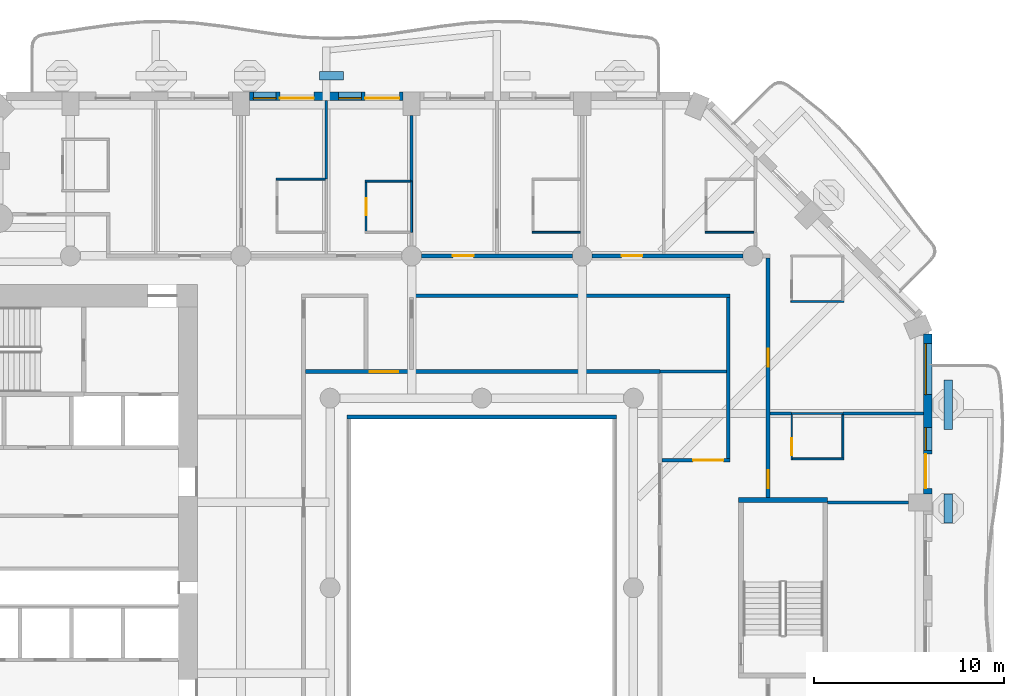
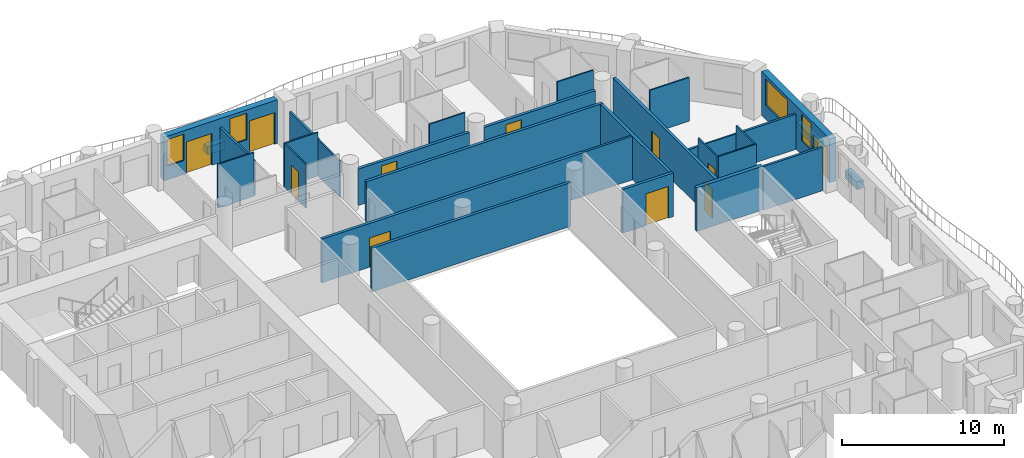
# One storey, part 9 of 20: 31 walls, 11 doors, 4 windows, 15 openings.
"""IFC4 building model written with IfcOpenShell, lengths in metres."""

from ifc_helpers import new_model, si_unit, direction, frame, frame_2d, origin, place, context, subcontext, project, spatial, rectangle, extrude, material, layer, layer_set, type_object, element, fill, save


model = new_model("IFC4")

# Units and contexts
model_context = context("Model", 3, precision=1e-05, world=origin(), true_north=direction((0.0, 1.0)))
body_context = subcontext(model_context, "Body", "Model", "MODEL_VIEW")
ifc_project = project(units=[si_unit("LENGTHUNIT", "METRE"), si_unit("AREAUNIT", "SQUARE_METRE"), si_unit("VOLUMEUNIT", "CUBIC_METRE"), si_unit("PLANEANGLEUNIT", "RADIAN"), si_unit("MASSUNIT", "GRAM", prefix="KILO")], contexts=[model_context])

# Site, building, storey
site_placement = place(None, origin())
site = spatial("IfcSite", under=ifc_project, at=site_placement, CompositionType="ELEMENT")
building_placement = place(site_placement, origin())
building = spatial("IfcBuilding", under=site, at=building_placement, Name="Cypress Arch Tower", CompositionType="ELEMENT")
storey_placement = place(building_placement, frame((0.0, 0.0, 109.5)))
storey = spatial("IfcBuildingStorey", under=building, at=storey_placement, Name="L22", CompositionType="ELEMENT", Elevation=109.5)

# Walls
ifc_material_1 = material(Name="Concrete C40/50, waterproofed", Category="concrete")
ifc_layer_1 = layer(ifc_material_1, 0.449951171875)
ifc_layer_set_1 = layer_set([ifc_layer_1], Name="Balcony planter wall PW450")
wall_type_1 = type_object("IfcWallType", Name="Balcony planter wall PW450", PredefinedType="SOLIDWALL", material=ifc_layer_set_1)
wall_1_placement = place(storey_placement, frame((25.60009765625, 3.42138671875, 0.0), z_axis=(0.0, 0.0, 1.0), x_axis=(0.0, 1.0, 0.0)))
element("IfcWall", 1, at=wall_1_placement, inside=storey, type_object=wall_type_1, Name="Balcony planter wall L22-A06.3", PredefinedType="SOLIDWALL", context=body_context, shape_type="SweptSolid", body=[
    extrude(rectangle(XDim=1.5224609375, YDim=0.449951171875, at=frame_2d((0.76123046875, 0.0))), origin(), (0.0, 0.0, 1.0), 0.60009765625),
])
wall_2_placement = place(storey_placement, frame((25.60009765625, 8.335693359375, 0.0), z_axis=(0.0, 0.0, 1.0), x_axis=(0.0, 1.0, 0.0)))
element("IfcWall", 2, at=wall_2_placement, inside=storey, type_object=wall_type_1, Name="Balcony planter wall L22-A06.4", PredefinedType="SOLIDWALL", context=body_context, shape_type="SweptSolid", body=[
    extrude(rectangle(XDim=2.6142578125, YDim=0.449951171875, at=frame_2d((1.30712890625, 0.0))), origin(), (0.0, 0.0, 1.0), 0.60009765625),
])
wall_3_placement = place(storey_placement, frame((-6.300048828125, 27.0, 0.0), z_axis=(0.0, 0.0, 1.0), x_axis=(-1.0, 0.0, 0.0)))
element("IfcWall", 3, at=wall_3_placement, inside=storey, type_object=wall_type_1, Name="Balcony planter wall L22-A08.3", PredefinedType="SOLIDWALL", context=body_context, shape_type="SweptSolid", body=[
    extrude(rectangle(XDim=1.25, YDim=0.449951171875, at=frame_2d((0.625, 0.0))), origin(), (0.0, 0.0, 1.0), 0.60009765625),
])

# Wall, openings, door, windows
ifc_material_2 = material(Name="Brick (red buff blend)", Category="masonry")
ifc_layer_2 = layer(ifc_material_2, 0.449951171875)
ifc_layer_set_2 = layer_set([ifc_layer_2], Name="Brick pier and spandrel wall BW450")
wall_type_2 = type_object("IfcWallType", Name="Brick pier and spandrel wall BW450", PredefinedType="SOLIDWALL", material=ifc_layer_set_2)
wall_4_placement = place(storey_placement, frame((24.52490234375, 4.949951171875, 0.0), z_axis=(0.0, 0.0, 1.0), x_axis=(0.0, 1.0, 0.0)))
wall_4 = element("IfcWall", 4, at=wall_4_placement, inside=storey, type_object=wall_type_2, Name="Brick wall L22 A06.3", PredefinedType="SOLIDWALL", context=body_context, shape_type="SweptSolid", body=[
    extrude(rectangle(XDim=8.438720703125, YDim=0.449951171875, at=frame_2d((4.21923828125, 0.0))), origin(), (0.0, 0.0, 1.0), 3.300048828125),
])
opening_1_placement = place(wall_4_placement, frame((0.2939453125, 0.0, 0.0)))
opening_1 = element("IfcOpeningElement", 5, at=opening_1_placement, cuts=wall_4, Name="Opening D-L22-A06.3.1", PredefinedType="OPENING", context=body_context, shape_type="SweptSolid", body=[
    extrude(rectangle(XDim=1.800048828125, YDim=2.39990234375, at=frame_2d((0.89990234375, 1.199951171875))), frame((0.0, 0.23486328125, 0.0), z_axis=(0.0, -1.0, 0.0), x_axis=(1.0, 0.0, 0.0)), (0.0, 0.0, 1.0), 0.469970703125),
])
opening_2_placement = place(wall_4_placement, frame((2.2939453125, 0.0, 1.050048828125)))
opening_2 = element("IfcOpeningElement", 6, at=opening_2_placement, cuts=wall_4, Name="Opening W120HD", PredefinedType="OPENING", context=body_context, shape_type="SweptSolid", body=[
    extrude(rectangle(XDim=1.199951171875, YDim=2.0, at=frame_2d((0.60009765625, 1.0))), frame((0.0, 0.23486328125, 0.0), z_axis=(0.0, -1.0, 0.0), x_axis=(1.0, 0.0, 0.0)), (0.0, 0.0, 1.0), 0.469970703125),
])
opening_3_placement = place(wall_4_placement, frame((5.231689453125, 0.0, 1.050048828125)))
opening_3 = element("IfcOpeningElement", 7, at=opening_3_placement, cuts=wall_4, Name="Opening W270HD", PredefinedType="OPENING", context=body_context, shape_type="SweptSolid", body=[
    extrude(rectangle(XDim=2.699951171875, YDim=2.0, at=frame_2d((1.35009765625, 1.0))), frame((0.0, 0.23486328125, 0.0), z_axis=(0.0, -1.0, 0.0), x_axis=(1.0, 0.0, 0.0)), (0.0, 0.0, 1.0), 0.469970703125),
])
ifc_material_3 = material(Name="Anodised aluminium, bronze finish, laminated low-emissivity double glazing, large-missile impact rated", Category="aluminium")
door_type_1 = type_object("IfcDoorType", Name="Balcony sliding door 1800x2400", OperationType="SLIDING_TO_LEFT", PredefinedType="DOOR", material=ifc_material_3)
door_1_placement = place(opening_1_placement, origin())
door_1 = element("IfcDoor", 8, at=door_1_placement, inside=storey, type_object=door_type_1, Name="Balcony door L22 A06.3.1", OperationType="SLIDING_TO_LEFT", OverallHeight=2.39990234375, OverallWidth=1.800048828125, PredefinedType="DOOR", context=body_context, shape_type="SweptSolid", body=[
    extrude(rectangle(XDim=1.800048828125, YDim=2.39990234375, at=frame_2d((0.89990234375, 1.199951171875))), frame((0.0, 0.1298828125, 0.0), z_axis=(0.0, -1.0, 0.0), x_axis=(1.0, 0.0, 0.0)), (0.0, 0.0, 1.0), 0.050048828125),
])
fill(opening_1, door_1)
ifc_material_4 = material(Name="Anodised aluminium, bronze finish, laminated low-emissivity double glazing, large-missile impact rated", Category="aluminium")
window_type_1 = type_object("IfcWindowType", Name="Window Hotel 1200x2000 debris-rated", PartitioningType="SINGLE_PANEL", PredefinedType="WINDOW", material=ifc_material_4)
window_1_placement = place(opening_2_placement, origin())
window_1 = element("IfcWindow", 9, at=window_1_placement, inside=storey, type_object=window_type_1, Name="Window L22 A06.3.1", OverallHeight=2.0, OverallWidth=1.199951171875, PartitioningType="SINGLE_PANEL", PredefinedType="WINDOW", context=body_context, shape_type="SweptSolid", body=[
    extrude(rectangle(XDim=1.199951171875, YDim=2.0, at=frame_2d((0.60009765625, 1.0))), frame((0.0, 0.135009765625, 0.0), z_axis=(0.0, -1.0, 0.0), x_axis=(1.0, 0.0, 0.0)), (0.0, 0.0, 1.0), 0.06005859375),
])
fill(opening_2, window_1)
ifc_material_5 = material(Name="Anodised aluminium, bronze finish, laminated low-emissivity double glazing, large-missile impact rated", Category="aluminium")
window_type_2 = type_object("IfcWindowType", Name="Window Hotel 2700x2000 debris-rated", PartitioningType="SINGLE_PANEL", PredefinedType="WINDOW", material=ifc_material_5)
window_2_placement = place(opening_3_placement, origin())
window_2 = element("IfcWindow", 10, at=window_2_placement, inside=storey, type_object=window_type_2, Name="Window L22 A06.3.2", OverallHeight=2.0, OverallWidth=2.699951171875, PartitioningType="SINGLE_PANEL", PredefinedType="WINDOW", context=body_context, shape_type="SweptSolid", body=[
    extrude(rectangle(XDim=2.699951171875, YDim=2.0, at=frame_2d((1.35009765625, 1.0))), frame((0.0, 0.135009765625, 0.0), z_axis=(0.0, -1.0, 0.0), x_axis=(1.0, 0.0, 0.0)), (0.0, 0.0, 1.0), 0.06005859375),
])
fill(opening_3, window_2)

# Wall, openings, doors, windows
wall_5_placement = place(storey_placement, frame((-3.14990234375, 25.925048828125, 0.0), z_axis=(0.0, 0.0, 1.0), x_axis=(-1.0, 0.0, 0.0)))
wall_5 = element("IfcWall", 11, at=wall_5_placement, inside=storey, type_object=wall_type_2, Name="Brick wall L22 A08.2", PredefinedType="SOLIDWALL", context=body_context, shape_type="SweptSolid", body=[
    extrude(rectangle(XDim=8.10009765625, YDim=0.449951171875, at=frame_2d((4.050048828125, 0.0))), origin(), (0.0, 0.0, 1.0), 3.300048828125),
])
opening_4_placement = place(wall_5_placement, frame((0.199951171875, 0.0, 0.0)))
opening_4 = element("IfcOpeningElement", 12, at=opening_4_placement, cuts=wall_5, Name="Opening D-L22-A08.2.1", PredefinedType="OPENING", context=body_context, shape_type="SweptSolid", body=[
    extrude(rectangle(XDim=1.800048828125, YDim=2.39990234375, at=frame_2d((0.89990234375, 1.199951171875))), frame((0.0, 0.23486328125, 0.0), z_axis=(0.0, -1.0, 0.0), x_axis=(1.0, 0.0, 0.0)), (0.0, 0.0, 1.0), 0.469970703125),
])
opening_5_placement = place(wall_5_placement, frame((2.199951171875, 0.0, 1.050048828125)))
opening_5 = element("IfcOpeningElement", 13, at=opening_5_placement, cuts=wall_5, Name="Opening W120HD", PredefinedType="OPENING", context=body_context, shape_type="SweptSolid", body=[
    extrude(rectangle(XDim=1.199951171875, YDim=2.0, at=frame_2d((0.60009765625, 1.0))), frame((0.0, 0.23486328125, 0.0), z_axis=(0.0, -1.0, 0.0), x_axis=(1.0, 0.0, 0.0)), (0.0, 0.0, 1.0), 0.469970703125),
])
opening_6_placement = place(wall_5_placement, frame((4.699951171875, 0.0, 0.0)))
opening_6 = element("IfcOpeningElement", 14, at=opening_6_placement, cuts=wall_5, Name="Opening D-L22-A08.2.2", PredefinedType="OPENING", context=body_context, shape_type="SweptSolid", body=[
    extrude(rectangle(XDim=1.800048828125, YDim=2.39990234375, at=frame_2d((0.89990234375, 1.199951171875))), frame((0.0, 0.23486328125, 0.0), z_axis=(0.0, -1.0, 0.0), x_axis=(1.0, 0.0, 0.0)), (0.0, 0.0, 1.0), 0.469970703125),
])
opening_7_placement = place(wall_5_placement, frame((6.699951171875, 0.0, 1.050048828125)))
opening_7 = element("IfcOpeningElement", 15, at=opening_7_placement, cuts=wall_5, Name="Opening W120HD", PredefinedType="OPENING", context=body_context, shape_type="SweptSolid", body=[
    extrude(rectangle(XDim=1.199951171875, YDim=2.0, at=frame_2d((0.60009765625, 1.0))), frame((0.0, 0.23486328125, 0.0), z_axis=(0.0, -1.0, 0.0), x_axis=(1.0, 0.0, 0.0)), (0.0, 0.0, 1.0), 0.469970703125),
])
door_2_placement = place(opening_4_placement, origin())
door_2 = element("IfcDoor", 16, at=door_2_placement, inside=storey, type_object=door_type_1, Name="Balcony door L22 A08.2.1", OperationType="SLIDING_TO_LEFT", OverallHeight=2.39990234375, OverallWidth=1.800048828125, PredefinedType="DOOR", context=body_context, shape_type="SweptSolid", body=[
    extrude(rectangle(XDim=1.800048828125, YDim=2.39990234375, at=frame_2d((0.89990234375, 1.199951171875))), frame((0.0, 0.1298828125, 0.0), z_axis=(0.0, -1.0, 0.0), x_axis=(1.0, 0.0, 0.0)), (0.0, 0.0, 1.0), 0.050048828125),
])
fill(opening_4, door_2)
door_3_placement = place(opening_6_placement, origin())
door_3 = element("IfcDoor", 17, at=door_3_placement, inside=storey, type_object=door_type_1, Name="Balcony door L22 A08.2.2", OperationType="SLIDING_TO_LEFT", OverallHeight=2.39990234375, OverallWidth=1.800048828125, PredefinedType="DOOR", context=body_context, shape_type="SweptSolid", body=[
    extrude(rectangle(XDim=1.800048828125, YDim=2.39990234375, at=frame_2d((0.89990234375, 1.199951171875))), frame((0.0, 0.1298828125, 0.0), z_axis=(0.0, -1.0, 0.0), x_axis=(1.0, 0.0, 0.0)), (0.0, 0.0, 1.0), 0.050048828125),
])
fill(opening_6, door_3)
window_3_placement = place(opening_5_placement, origin())
window_3 = element("IfcWindow", 18, at=window_3_placement, inside=storey, type_object=window_type_1, Name="Window L22 A08.2.1", OverallHeight=2.0, OverallWidth=1.199951171875, PartitioningType="SINGLE_PANEL", PredefinedType="WINDOW", context=body_context, shape_type="SweptSolid", body=[
    extrude(rectangle(XDim=1.199951171875, YDim=2.0, at=frame_2d((0.60009765625, 1.0))), frame((0.0, 0.135009765625, 0.0), z_axis=(0.0, -1.0, 0.0), x_axis=(1.0, 0.0, 0.0)), (0.0, 0.0, 1.0), 0.06005859375),
])
fill(opening_5, window_3)
window_4_placement = place(opening_7_placement, origin())
window_4 = element("IfcWindow", 19, at=window_4_placement, inside=storey, type_object=window_type_1, Name="Window L22 A08.2.2", OverallHeight=2.0, OverallWidth=1.199951171875, PartitioningType="SINGLE_PANEL", PredefinedType="WINDOW", context=body_context, shape_type="SweptSolid", body=[
    extrude(rectangle(XDim=1.199951171875, YDim=2.0, at=frame_2d((0.60009765625, 1.0))), frame((0.0, 0.135009765625, 0.0), z_axis=(0.0, -1.0, 0.0), x_axis=(1.0, 0.0, 0.0)), (0.0, 0.0, 1.0), 0.06005859375),
])
fill(opening_7, window_4)

# Wall, opening, door
ifc_material_6 = material(Name="Concrete blockwork, plastered, rated", Category="masonry")
ifc_layer_3 = layer(ifc_material_6, 0.199951171875)
ifc_layer_set_3 = layer_set([ifc_layer_3], Name="Corridor wall FW200")
wall_type_3 = type_object("IfcWallType", Name="Corridor wall FW200", PredefinedType="PARTITIONING", material=ifc_layer_set_3)
wall_6_placement = place(storey_placement, frame((-2.175048828125, 17.5, 0.0), z_axis=(0.0, 0.0, 1.0), x_axis=(1.0, 0.0, 0.0)))
wall_6 = element("IfcWall", 20, at=wall_6_placement, inside=storey, type_object=wall_type_3, Name="Corridor wall", PredefinedType="PARTITIONING", context=body_context, shape_type="SweptSolid", body=[
    extrude(rectangle(XDim=7.949951171875, YDim=0.199951171875, at=frame_2d((3.97509765625, 0.0))), origin(), (0.0, 0.0, 1.0), 2.75),
])
opening_8_placement = place(wall_6_placement, frame((1.64990234375, 0.0, 0.0)))
opening_8 = element("IfcOpeningElement", 21, at=opening_8_placement, cuts=wall_6, Name="Opening D01", PredefinedType="OPENING", context=body_context, shape_type="SweptSolid", body=[
    extrude(rectangle(XDim=1.10009765625, YDim=2.39990234375, at=frame_2d((0.550048828125, 1.199951171875))), frame((0.0, 0.10986328125, 0.0), z_axis=(0.0, -1.0, 0.0), x_axis=(1.0, 0.0, 0.0)), (0.0, 0.0, 1.0), 0.219970703125),
])
ifc_material_7 = material(Name="Timber flush door, fire resisting, self-closing", Category="wood")
door_type_2 = type_object("IfcDoorType", Name="Unit entrance door D01 1100x2400", OperationType="SINGLE_SWING_LEFT", PredefinedType="DOOR", material=ifc_material_7)
door_4_placement = place(opening_8_placement, origin())
door_4 = element("IfcDoor", 22, at=door_4_placement, inside=storey, type_object=door_type_2, Name="Unit entrance door", OperationType="SINGLE_SWING_RIGHT", OverallHeight=2.39990234375, OverallWidth=1.10009765625, PredefinedType="DOOR", context=body_context, shape_type="SweptSolid", body=[
    extrude(rectangle(XDim=1.10009765625, YDim=2.39990234375, at=frame_2d((0.550048828125, 1.199951171875))), frame((0.0, 0.02490234375, 0.0), z_axis=(0.0, -1.0, 0.0), x_axis=(1.0, 0.0, 0.0)), (0.0, 0.0, 1.0), 0.050048828125),
])
fill(opening_8, door_4)

wall_7_placement = place(storey_placement, frame((6.824951171875, 17.5, 0.0), z_axis=(0.0, 0.0, 1.0), x_axis=(1.0, 0.0, 0.0)))
wall_7 = element("IfcWall", 23, at=wall_7_placement, inside=storey, type_object=wall_type_3, Name="Corridor wall", PredefinedType="PARTITIONING", context=body_context, shape_type="SweptSolid", body=[
    extrude(rectangle(XDim=7.949951171875, YDim=0.199951171875, at=frame_2d((3.97509765625, 0.0))), origin(), (0.0, 0.0, 1.0), 2.75),
])
opening_9_placement = place(wall_7_placement, frame((1.550048828125, 0.0, 0.0)))
opening_9 = element("IfcOpeningElement", 24, at=opening_9_placement, cuts=wall_7, Name="Opening D01", PredefinedType="OPENING", context=body_context, shape_type="SweptSolid", body=[
    extrude(rectangle(XDim=1.10009765625, YDim=2.39990234375, at=frame_2d((0.550048828125, 1.199951171875))), frame((0.0, 0.10986328125, 0.0), z_axis=(0.0, -1.0, 0.0), x_axis=(1.0, 0.0, 0.0)), (0.0, 0.0, 1.0), 0.219970703125),
])
door_5_placement = place(opening_9_placement, origin())
door_5 = element("IfcDoor", 25, at=door_5_placement, inside=storey, type_object=door_type_2, Name="Unit entrance door", OperationType="SINGLE_SWING_RIGHT", OverallHeight=2.39990234375, OverallWidth=1.10009765625, PredefinedType="DOOR", context=body_context, shape_type="SweptSolid", body=[
    extrude(rectangle(XDim=1.10009765625, YDim=2.39990234375, at=frame_2d((0.550048828125, 1.199951171875))), frame((0.0, 0.02490234375, 0.0), z_axis=(0.0, -1.0, 0.0), x_axis=(1.0, 0.0, 0.0)), (0.0, 0.0, 1.0), 0.050048828125),
])
fill(opening_9, door_5)

wall_8_placement = place(storey_placement, frame((-8.300048828125, 11.39990234375, 0.0), z_axis=(0.0, 0.0, 1.0), x_axis=(1.0, 0.0, 0.0)))
wall_8 = element("IfcWall", 26, at=wall_8_placement, inside=storey, type_object=wall_type_3, Name="Corridor wall", PredefinedType="PARTITIONING", context=body_context, shape_type="SweptSolid", body=[
    extrude(rectangle(XDim=18.699951171875, YDim=0.199951171875, at=frame_2d((9.35009765625, 0.0))), origin(), (0.0, 0.0, 1.0), 3.300048828125),
])
opening_10_placement = place(wall_8_placement, frame((3.39990234375, 0.0, 0.0)))
opening_10 = element("IfcOpeningElement", 27, at=opening_10_placement, cuts=wall_8, Name="Opening D04", PredefinedType="OPENING", context=body_context, shape_type="SweptSolid", body=[
    extrude(rectangle(XDim=1.5, YDim=2.199951171875, at=frame_2d((0.75, 1.10009765625))), frame((0.0, 0.10986328125, 0.0), z_axis=(0.0, -1.0, 0.0), x_axis=(1.0, 0.0, 0.0)), (0.0, 0.0, 1.0), 0.219970703125),
])
ifc_material_8 = material(Name="Timber double door", Category="wood")
door_type_3 = type_object("IfcDoorType", Name="Double door D04 1500x2200", OperationType="DOUBLE_DOOR_SINGLE_SWING", PredefinedType="DOOR", material=ifc_material_8)
door_6_placement = place(opening_10_placement, origin())
door_6 = element("IfcDoor", 28, at=door_6_placement, inside=storey, type_object=door_type_3, Name="Double door", OperationType="DOUBLE_DOOR_SINGLE_SWING", OverallHeight=2.199951171875, OverallWidth=1.5, PredefinedType="DOOR", context=body_context, shape_type="SweptSolid", body=[
    extrude(rectangle(XDim=1.5, YDim=2.199951171875, at=frame_2d((0.75, 1.10009765625))), frame((0.0, 0.02490234375, 0.0), z_axis=(0.0, -1.0, 0.0), x_axis=(1.0, 0.0, 0.0)), (0.0, 0.0, 1.0), 0.050048828125),
])
fill(opening_10, door_6)

# Walls
wall_9_placement = place(storey_placement, frame((-6.10009765625, 9.0, 0.0), z_axis=(0.0, 0.0, 1.0), x_axis=(1.0, 0.0, 0.0)))
element("IfcWall", 29, at=wall_9_placement, inside=storey, type_object=wall_type_3, Name="Corridor wall", PredefinedType="PARTITIONING", context=body_context, shape_type="SweptSolid", body=[
    extrude(rectangle(XDim=14.2001953125, YDim=0.199951171875, at=frame_2d((7.10009765625, 0.0))), origin(), (0.0, 0.0, 1.0), 3.300048828125),
])
wall_10_placement = place(storey_placement, frame((-2.800048828125, 15.39990234375, 0.0), z_axis=(0.0, 0.0, 1.0), x_axis=(1.0, 0.0, 0.0)))
element("IfcWall", 30, at=wall_10_placement, inside=storey, type_object=wall_type_3, Name="Corridor wall", PredefinedType="PARTITIONING", context=body_context, shape_type="SweptSolid", body=[
    extrude(rectangle(XDim=16.900146484375, YDim=0.199951171875, at=frame_2d((8.4501953125, 0.0))), origin(), (0.0, 0.0, 1.0), 3.300048828125),
])

# Wall, opening, door
wall_11_placement = place(storey_placement, frame((10.5, 6.72509765625, 0.0), z_axis=(0.0, 0.0, 1.0), x_axis=(1.0, 0.0, 0.0)))
wall_11 = element("IfcWall", 31, at=wall_11_placement, inside=storey, type_object=wall_type_3, Name="Corridor wall", PredefinedType="PARTITIONING", context=body_context, shape_type="SweptSolid", body=[
    extrude(rectangle(XDim=3.60009765625, YDim=0.199951171875, at=frame_2d((1.800048828125, 0.0))), origin(), (0.0, 0.0, 1.0), 3.300048828125),
])
opening_11_placement = place(wall_11_placement, frame((1.64990234375, 0.0, 0.0)))
opening_11 = element("IfcOpeningElement", 32, at=opening_11_placement, cuts=wall_11, Name="Opening D10", PredefinedType="OPENING", context=body_context, shape_type="SweptSolid", body=[
    extrude(rectangle(XDim=1.60009765625, YDim=2.39990234375, at=frame_2d((0.800048828125, 1.199951171875))), frame((0.0, 0.10986328125, 0.0), z_axis=(0.0, -1.0, 0.0), x_axis=(1.0, 0.0, 0.0)), (0.0, 0.0, 1.0), 0.219970703125),
])
ifc_material_9 = material(Name="Black aluminium glazed door", Category="aluminium")
door_type_4 = type_object("IfcDoorType", Name="Amenity door D10 1600x2400", OperationType="DOUBLE_DOOR_SINGLE_SWING", PredefinedType="DOOR", material=ifc_material_9)
door_7_placement = place(opening_11_placement, origin())
door_7 = element("IfcDoor", 33, at=door_7_placement, inside=storey, type_object=door_type_4, Name="Amenity door", OperationType="DOUBLE_DOOR_SINGLE_SWING", OverallHeight=2.39990234375, OverallWidth=1.60009765625, PredefinedType="DOOR", context=body_context, shape_type="SweptSolid", body=[
    extrude(rectangle(XDim=1.60009765625, YDim=2.39990234375, at=frame_2d((0.800048828125, 1.199951171875))), frame((0.0, 0.02490234375, 0.0), z_axis=(0.0, -1.0, 0.0), x_axis=(1.0, 0.0, 0.0)), (0.0, 0.0, 1.0), 0.050048828125),
])
fill(opening_11, door_7)

# Wall
wall_12_placement = place(storey_placement, frame((14.0, 6.824951171875, 0.0), z_axis=(0.0, 0.0, 1.0), x_axis=(0.0, 1.0, 0.0)))
element("IfcWall", 34, at=wall_12_placement, inside=storey, type_object=wall_type_3, Name="Corridor wall", PredefinedType="PARTITIONING", context=body_context, shape_type="SweptSolid", body=[
    extrude(rectangle(XDim=8.47509765625, YDim=0.199951171875, at=frame_2d((4.237548828125, 0.0))), origin(), (0.0, 0.0, 1.0), 3.300048828125),
])

# Wall, openings, doors
wall_13_placement = place(storey_placement, frame((16.10009765625, 4.75, 0.0), z_axis=(0.0, 0.0, 1.0), x_axis=(0.0, 1.0, 0.0)))
wall_13 = element("IfcWall", 35, at=wall_13_placement, inside=storey, type_object=wall_type_3, Name="Corridor wall", PredefinedType="PARTITIONING", context=body_context, shape_type="SweptSolid", body=[
    extrude(rectangle(XDim=12.64990234375, YDim=0.199951171875, at=frame_2d((6.324951171875, 0.0))), origin(), (0.0, 0.0, 1.0), 3.300048828125),
])
opening_12_placement = place(wall_13_placement, frame((0.5, 0.0, 0.0)))
opening_12 = element("IfcOpeningElement", 36, at=opening_12_placement, cuts=wall_13, Name="Opening D02", PredefinedType="OPENING", context=body_context, shape_type="SweptSolid", body=[
    extrude(rectangle(XDim=0.949951171875, YDim=2.199951171875, at=frame_2d((0.47509765625, 1.10009765625))), frame((0.0, 0.10986328125, 0.0), z_axis=(0.0, -1.0, 0.0), x_axis=(1.0, 0.0, 0.0)), (0.0, 0.0, 1.0), 0.219970703125),
])
opening_13_placement = place(wall_13_placement, frame((6.89990234375, 0.0, 0.0)))
opening_13 = element("IfcOpeningElement", 37, at=opening_13_placement, cuts=wall_13, Name="Opening D02", PredefinedType="OPENING", context=body_context, shape_type="SweptSolid", body=[
    extrude(rectangle(XDim=0.949951171875, YDim=2.199951171875, at=frame_2d((0.47509765625, 1.10009765625))), frame((0.0, 0.10986328125, 0.0), z_axis=(0.0, -1.0, 0.0), x_axis=(1.0, 0.0, 0.0)), (0.0, 0.0, 1.0), 0.219970703125),
])
ifc_material_10 = material(Name="Timber flush door, fire resisting", Category="wood")
door_type_5 = type_object("IfcDoorType", Name="Room door D02 950x2200", OperationType="SINGLE_SWING_LEFT", PredefinedType="DOOR", material=ifc_material_10)
door_8_placement = place(opening_12_placement, origin())
door_8 = element("IfcDoor", 38, at=door_8_placement, inside=storey, type_object=door_type_5, Name="Room door", OperationType="SINGLE_SWING_RIGHT", OverallHeight=2.199951171875, OverallWidth=0.949951171875, PredefinedType="DOOR", context=body_context, shape_type="SweptSolid", body=[
    extrude(rectangle(XDim=0.949951171875, YDim=2.199951171875, at=frame_2d((0.47509765625, 1.10009765625))), frame((0.0, 0.02490234375, 0.0), z_axis=(0.0, -1.0, 0.0), x_axis=(1.0, 0.0, 0.0)), (0.0, 0.0, 1.0), 0.050048828125),
])
fill(opening_12, door_8)
door_9_placement = place(opening_13_placement, origin())
door_9 = element("IfcDoor", 39, at=door_9_placement, inside=storey, type_object=door_type_5, Name="Room door", OperationType="SINGLE_SWING_RIGHT", OverallHeight=2.199951171875, OverallWidth=0.949951171875, PredefinedType="DOOR", context=body_context, shape_type="SweptSolid", body=[
    extrude(rectangle(XDim=0.949951171875, YDim=2.199951171875, at=frame_2d((0.47509765625, 1.10009765625))), frame((0.0, 0.02490234375, 0.0), z_axis=(0.0, -1.0, 0.0), x_axis=(1.0, 0.0, 0.0)), (0.0, 0.0, 1.0), 0.050048828125),
])
fill(opening_13, door_9)

# Walls
ifc_material_11 = material(Name="Blockwork, plastered both sides", Category="masonry")
ifc_layer_4 = layer(ifc_material_11, 0.14990234375)
ifc_layer_set_4 = layer_set([ifc_layer_4], Name="Partition PW150")
wall_type_4 = type_object("IfcWallType", Name="Partition PW150", PredefinedType="PARTITIONING", material=ifc_layer_set_4)
wall_14_placement = place(storey_placement, frame((-7.199951171875, 21.550048828125, 0.0), z_axis=(0.0, 0.0, 1.0), x_axis=(0.0, 1.0, 0.0)))
element("IfcWall", 40, at=wall_14_placement, inside=storey, type_object=wall_type_4, Name="Partition", PredefinedType="PARTITIONING", context=body_context, shape_type="SweptSolid", body=[
    extrude(rectangle(XDim=4.14990234375, YDim=0.14990234375, at=frame_2d((2.074951171875, 0.0))), origin(), (0.0, 0.0, 1.0), 2.64990234375),
])
wall_15_placement = place(storey_placement, frame((-2.699951171875, 21.449951171875, 0.0), z_axis=(0.0, 0.0, 1.0), x_axis=(0.0, 1.0, 0.0)))
element("IfcWall", 41, at=wall_15_placement, inside=storey, type_object=wall_type_4, Name="Partition", PredefinedType="PARTITIONING", context=body_context, shape_type="SweptSolid", body=[
    extrude(rectangle(XDim=3.449951171875, YDim=0.14990234375, at=frame_2d((1.72509765625, 0.0))), origin(), (0.0, 0.0, 1.0), 2.75),
])
wall_16_placement = place(storey_placement, frame((10.39990234375, 11.39990234375, 0.0), z_axis=(0.0, 0.0, 1.0), x_axis=(1.0, 0.0, 0.0)))
element("IfcWall", 42, at=wall_16_placement, inside=storey, type_object=wall_type_4, Name="Partition", PredefinedType="PARTITIONING", context=body_context, shape_type="SweptSolid", body=[
    extrude(rectangle(XDim=3.5, YDim=0.14990234375, at=frame_2d((1.75, 0.0))), origin(), (0.0, 0.0, 1.0), 3.300048828125),
])
wall_17_placement = place(storey_placement, frame((16.199951171875, 9.18994140625, 0.0), z_axis=(0.0, 0.0, 1.0), x_axis=(1.0, 0.0, 0.0)))
element("IfcWall", 43, at=wall_17_placement, inside=storey, type_object=wall_type_4, Name="Partition", PredefinedType="PARTITIONING", context=body_context, shape_type="SweptSolid", body=[
    extrude(rectangle(XDim=1.130126953125, YDim=0.14990234375, at=frame_2d((0.56494140625, 0.0))), origin(), (0.0, 0.0, 1.0), 2.64990234375),
])
wall_18_placement = place(storey_placement, frame((19.25, 4.5, 0.0), z_axis=(0.0, 0.0, 1.0), x_axis=(1.0, 0.0, 0.0)))
element("IfcWall", 44, at=wall_18_placement, inside=storey, type_object=wall_type_4, Name="Partition", PredefinedType="PARTITIONING", context=body_context, shape_type="SweptSolid", body=[
    extrude(rectangle(XDim=4.25, YDim=0.14990234375, at=frame_2d((2.125, 0.0))), origin(), (0.0, 0.0, 1.0), 3.300048828125),
])
wall_19_placement = place(storey_placement, frame((20.050048828125, 9.18994140625, 0.0), z_axis=(0.0, 0.0, 1.0), x_axis=(1.0, 0.0, 0.0)))
element("IfcWall", 45, at=wall_19_placement, inside=storey, type_object=wall_type_4, Name="Partition", PredefinedType="PARTITIONING", context=body_context, shape_type="SweptSolid", body=[
    extrude(rectangle(XDim=4.25, YDim=0.14990234375, at=frame_2d((2.125, 0.0))), origin(), (0.0, 0.0, 1.0), 2.64990234375),
])
ifc_material_12 = material(Name="Concrete C50/60", Category="concrete")
ifc_layer_5 = layer(ifc_material_12, 0.25)
ifc_layer_set_5 = layer_set([ifc_layer_5], Name="Stair enclosure wall SW250")
wall_type_5 = type_object("IfcWallType", Name="Stair enclosure wall SW250", PredefinedType="SHEAR", material=ifc_layer_set_5)
wall_20_placement = place(storey_placement, frame((14.550048828125, 4.625, 0.0), z_axis=(0.0, 0.0, 1.0), x_axis=(1.0, 0.0, 0.0)))
element("IfcWall", 46, at=wall_20_placement, inside=storey, type_object=wall_type_5, Name="Stair enclosure wall", PredefinedType="SHEAR", context=body_context, shape_type="SweptSolid", body=[
    extrude(rectangle(XDim=4.699951171875, YDim=0.25, at=frame_2d((2.35009765625, 0.0))), origin(), (0.0, 0.0, 1.0), 3.300048828125),
])
ifc_material_13 = material(Name="Moisture resistant board on steel studs, tiled", Category="steel")
ifc_layer_6 = layer(ifc_material_13, 0.10009765625)
ifc_layer_set_6 = layer_set([ifc_layer_6], Name="Wet wall PW100")
wall_type_6 = type_object("IfcWallType", Name="Wet wall PW100", PredefinedType="PARTITIONING", material=ifc_layer_set_6)
wall_21_placement = place(storey_placement, frame((-9.845947265625, 21.550048828125, 0.0), z_axis=(0.0, 0.0, 1.0), x_axis=(1.0, 0.0, 0.0)))
element("IfcWall", 47, at=wall_21_placement, inside=storey, type_object=wall_type_6, Name="Wet wall", PredefinedType="PARTITIONING", context=body_context, shape_type="SweptSolid", body=[
    extrude(rectangle(XDim=2.595947265625, YDim=0.10009765625, at=frame_2d((1.2978515625, 0.0))), origin(), (0.0, 0.0, 1.0), 3.300048828125),
])

# Wall, opening, door
wall_22_placement = place(storey_placement, frame((-5.095947265625, 18.800048828125, 0.0), z_axis=(0.0, 0.0, 1.0), x_axis=(0.0, 1.0, 0.0)))
wall_22 = element("IfcWall", 48, at=wall_22_placement, inside=storey, type_object=wall_type_6, Name="Wet wall", PredefinedType="PARTITIONING", context=body_context, shape_type="SweptSolid", body=[
    extrude(rectangle(XDim=2.599853515625, YDim=0.10009765625, at=frame_2d((1.2998046875, 0.0))), origin(), (0.0, 0.0, 1.0), 3.300048828125),
])
opening_14_placement = place(wall_22_placement, frame((0.85009765625, 0.0, 0.0)))
opening_14 = element("IfcOpeningElement", 49, at=opening_14_placement, cuts=wall_22, Name="Opening D03", PredefinedType="OPENING", context=body_context, shape_type="SweptSolid", body=[
    extrude(rectangle(XDim=0.89990234375, YDim=2.199951171875, at=frame_2d((0.449951171875, 1.10009765625))), frame((0.0, 0.06005859375, 0.0), z_axis=(0.0, -1.0, 0.0), x_axis=(1.0, 0.0, 0.0)), (0.0, 0.0, 1.0), 0.1201171875),
])
ifc_material_14 = material(Name="Timber flush door, moisture resistant", Category="wood")
door_type_6 = type_object("IfcDoorType", Name="Bathroom door D03 900x2200", OperationType="SINGLE_SWING_LEFT", PredefinedType="DOOR", material=ifc_material_14)
door_10_placement = place(opening_14_placement, origin())
door_10 = element("IfcDoor", 50, at=door_10_placement, inside=storey, type_object=door_type_6, Name="Bathroom door", OperationType="SINGLE_SWING_RIGHT", OverallHeight=2.199951171875, OverallWidth=0.89990234375, PredefinedType="DOOR", context=body_context, shape_type="SweptSolid", body=[
    extrude(rectangle(XDim=0.89990234375, YDim=2.199951171875, at=frame_2d((0.449951171875, 1.10009765625))), frame((0.0, 0.02490234375, 0.0), z_axis=(0.0, -1.0, 0.0), x_axis=(1.0, 0.0, 0.0)), (0.0, 0.0, 1.0), 0.050048828125),
])
fill(opening_14, door_10)

# Walls
wall_23_placement = place(storey_placement, frame((-5.14599609375, 21.449951171875, 0.0), z_axis=(0.0, 0.0, 1.0), x_axis=(1.0, 0.0, 0.0)))
element("IfcWall", 51, at=wall_23_placement, inside=storey, type_object=wall_type_6, Name="Wet wall", PredefinedType="PARTITIONING", context=body_context, shape_type="SweptSolid", body=[
    extrude(rectangle(XDim=2.39599609375, YDim=0.10009765625, at=frame_2d((1.197998046875, 0.0))), origin(), (0.0, 0.0, 1.0), 3.300048828125),
])
wall_24_placement = place(storey_placement, frame((-2.699951171875, 18.72998046875, 0.0), z_axis=(0.0, 0.0, 1.0), x_axis=(0.0, 1.0, 0.0)))
element("IfcWall", 52, at=wall_24_placement, inside=storey, type_object=wall_type_6, Name="Wet wall", PredefinedType="PARTITIONING", context=body_context, shape_type="SweptSolid", body=[
    extrude(rectangle(XDim=2.719970703125, YDim=0.10009765625, at=frame_2d((1.35986328125, 0.0))), origin(), (0.0, 0.0, 1.0), 2.75),
])
wall_25_placement = place(storey_placement, frame((3.654052734375, 18.75, 0.0), z_axis=(0.0, 0.0, 1.0), x_axis=(1.0, 0.0, 0.0)))
element("IfcWall", 53, at=wall_25_placement, inside=storey, type_object=wall_type_6, Name="Wet wall", PredefinedType="PARTITIONING", context=body_context, shape_type="SweptSolid", body=[
    extrude(rectangle(XDim=2.5458984375, YDim=0.10009765625, at=frame_2d((1.27294921875, 0.0))), origin(), (0.0, 0.0, 1.0), 3.300048828125),
])
wall_26_placement = place(storey_placement, frame((12.785888671875, 18.75, 0.0), z_axis=(0.0, 0.0, 1.0), x_axis=(1.0, 0.0, 0.0)))
element("IfcWall", 54, at=wall_26_placement, inside=storey, type_object=wall_type_6, Name="Wet wall", PredefinedType="PARTITIONING", context=body_context, shape_type="SweptSolid", body=[
    extrude(rectangle(XDim=2.571044921875, YDim=0.10009765625, at=frame_2d((1.28564453125, 0.0))), origin(), (0.0, 0.0, 1.0), 3.300048828125),
])
wall_27_placement = place(storey_placement, frame((17.330078125, 9.18994140625, 0.0), z_axis=(0.0, 0.0, 1.0), x_axis=(1.0, 0.0, 0.0)))
element("IfcWall", 55, at=wall_27_placement, inside=storey, type_object=wall_type_6, Name="Wet wall", PredefinedType="PARTITIONING", context=body_context, shape_type="SweptSolid", body=[
    extrude(rectangle(XDim=2.719970703125, YDim=0.10009765625, at=frame_2d((1.35986328125, 0.0))), origin(), (0.0, 0.0, 1.0), 2.64990234375),
])

# Wall, opening, door
wall_28_placement = place(storey_placement, frame((17.35009765625, 9.139892578125, 0.0), z_axis=(0.0, 0.0, 1.0), x_axis=(0.000407580973, -0.999999916939, 0.0)))
wall_28 = element("IfcWall", 56, at=wall_28_placement, inside=storey, type_object=wall_type_6, Name="Wet wall", PredefinedType="PARTITIONING", context=body_context, shape_type="SweptSolid", body=[
    extrude(rectangle(XDim=2.39599609375, YDim=0.10009765625, at=frame_2d((1.197998046875, 0.0))), origin(), (0.0, 0.0, 1.0), 3.300048828125),
])
opening_15_placement = place(wall_28_placement, frame((1.25, 0.0, 0.0)))
opening_15 = element("IfcOpeningElement", 57, at=opening_15_placement, cuts=wall_28, Name="Opening D03", PredefinedType="OPENING", context=body_context, shape_type="SweptSolid", body=[
    extrude(rectangle(XDim=0.89990234375, YDim=2.199951171875, at=frame_2d((0.449951171875, 1.10009765625))), frame((0.0, 0.06005859375, 0.0), z_axis=(0.0, -1.0, 0.0), x_axis=(1.0, 0.0, 0.0)), (0.0, 0.0, 1.0), 0.1201171875),
])
door_11_placement = place(opening_15_placement, origin())
door_11 = element("IfcDoor", 58, at=door_11_placement, inside=storey, type_object=door_type_6, Name="Bathroom door", OperationType="SINGLE_SWING_RIGHT", OverallHeight=2.199951171875, OverallWidth=0.89990234375, PredefinedType="DOOR", context=body_context, shape_type="SweptSolid", body=[
    extrude(rectangle(XDim=0.89990234375, YDim=2.199951171875, at=frame_2d((0.449951171875, 1.10009765625))), frame((0.0, 0.02490234375, 0.0), z_axis=(0.0, -1.0, 0.0), x_axis=(1.0, 0.0, 0.0)), (0.0, 0.0, 1.0), 0.050048828125),
])
fill(opening_15, door_11)

# Walls
wall_29_placement = place(storey_placement, frame((17.300048828125, 15.10009765625, 0.0), z_axis=(0.0, 0.0, 1.0), x_axis=(1.0, 0.0, 0.0)))
element("IfcWall", 59, at=wall_29_placement, inside=storey, type_object=wall_type_6, Name="Wet wall", PredefinedType="PARTITIONING", context=body_context, shape_type="SweptSolid", body=[
    extrude(rectangle(XDim=2.800048828125, YDim=0.10009765625, at=frame_2d((1.39990234375, 0.0))), origin(), (0.0, 0.0, 1.0), 3.300048828125),
])
wall_30_placement = place(storey_placement, frame((17.40087890625, 6.7939453125, 0.0), z_axis=(0.0, 0.0, 1.0), x_axis=(0.9999999346, 0.000361663629, 0.0)))
element("IfcWall", 60, at=wall_30_placement, inside=storey, type_object=wall_type_6, Name="Wet wall", PredefinedType="PARTITIONING", context=body_context, shape_type="SweptSolid", body=[
    extrude(rectangle(XDim=2.7001953125, YDim=0.10009765625, at=frame_2d((1.35009765625, 0.0))), origin(), (0.0, 0.0, 1.0), 3.300048828125),
])
wall_31_placement = place(storey_placement, frame((20.050048828125, 9.114990234375, 0.0), z_axis=(0.0, 0.0, 1.0), x_axis=(0.000430200003, -0.999999907464, 0.0)))
element("IfcWall", 61, at=wall_31_placement, inside=storey, type_object=wall_type_6, Name="Wet wall", PredefinedType="PARTITIONING", context=body_context, shape_type="SweptSolid", body=[
    extrude(rectangle(XDim=2.27001953125, YDim=0.10009765625, at=frame_2d((1.135009765625, 0.0))), origin(), (0.0, 0.0, 1.0), 3.300048828125),
])

save(model, "model.ifc")
